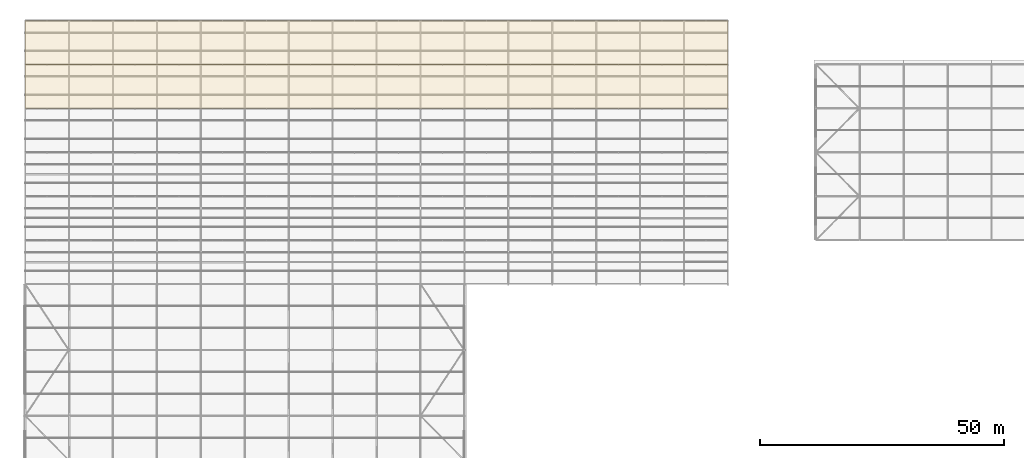
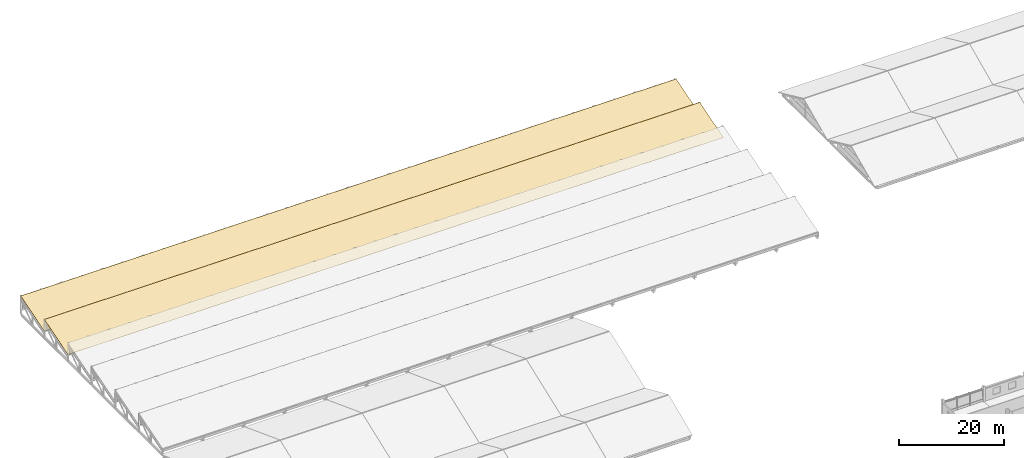
# One storey, part 163 of 163: 2 coverings.
"""IFC4 building model written with IfcOpenShell, lengths in metres."""

from ifc_helpers import new_model, si_unit, direction, frame, origin, place, context, subcontext, project, spatial, polyline, outline, extrude, material, layer, layer_set, type_object, element, save


model = new_model("IFC4")

# Units and contexts
model_context = context("Model", 3, precision=1e-05, world=origin(), true_north=direction((0.0, 1.0)))
body_context = subcontext(model_context, "Body", "Model", "MODEL_VIEW")
ifc_project = project(units=[si_unit("LENGTHUNIT", "METRE"), si_unit("AREAUNIT", "SQUARE_METRE"), si_unit("VOLUMEUNIT", "CUBIC_METRE"), si_unit("PLANEANGLEUNIT", "RADIAN"), si_unit("MASSUNIT", "GRAM", prefix="KILO")], contexts=[model_context])

# Site, building, storey
site_placement = place(None, origin())
site = spatial("IfcSite", under=ifc_project, at=site_placement, CompositionType="ELEMENT")
building_placement = place(site_placement, origin())
building = spatial("IfcBuilding", under=site, at=building_placement, Name="Tharagai Park Tramway Depot", CompositionType="ELEMENT")
storey_placement = place(building_placement, frame((0.0, 0.0, 8.39990234375)))
storey = spatial("IfcBuildingStorey", under=building, at=storey_placement, Name="L02", CompositionType="ELEMENT", Elevation=8.39990234375)

# Coverings
ifc_material = material(Name="Standing-seam zinc roofing")
ifc_layer = layer(ifc_material, 0.0400390625)
ifc_layer_set = layer_set([ifc_layer], Name="Standing-seam zinc roofing")
covering_type = type_object("IfcCoveringType", Name="CV-01", PredefinedType="ROOFING", material=ifc_layer_set)
for number, where, z_axis, x_axis, name in (
    (1, (0.0, 126.0, 1.205078125), (0.0, -0.289034229425, 0.95731876312), (1.0, 0.0, 0.0), "Standing-Seam Zinc Roofing Tooth 5"),
    (2, (0.0, 135.0, 1.205078125), (0.0, -0.289034229425, 0.95731876312), (1.0, 0.0, 0.0), "Standing-Seam Zinc Roofing Tooth 6"),
):
    element("IfcCovering", number, at=place(storey_placement, frame(where, z_axis=z_axis, x_axis=x_axis)), inside=storey, type_object=covering_type, Name=name, PredefinedType="ROOFING", context=body_context, shape_type="SweptSolid", body=[
        extrude(outline(polyline([(0.0, 0.0), (144.0, 0.0), (144.0, 9.401257289340432), (0.0, 9.401257289340432), (0.0, 0.0)])), origin(), (0.0, 0.0, -1.0), 0.0400390625),
    ])

save(model, "model.ifc")
